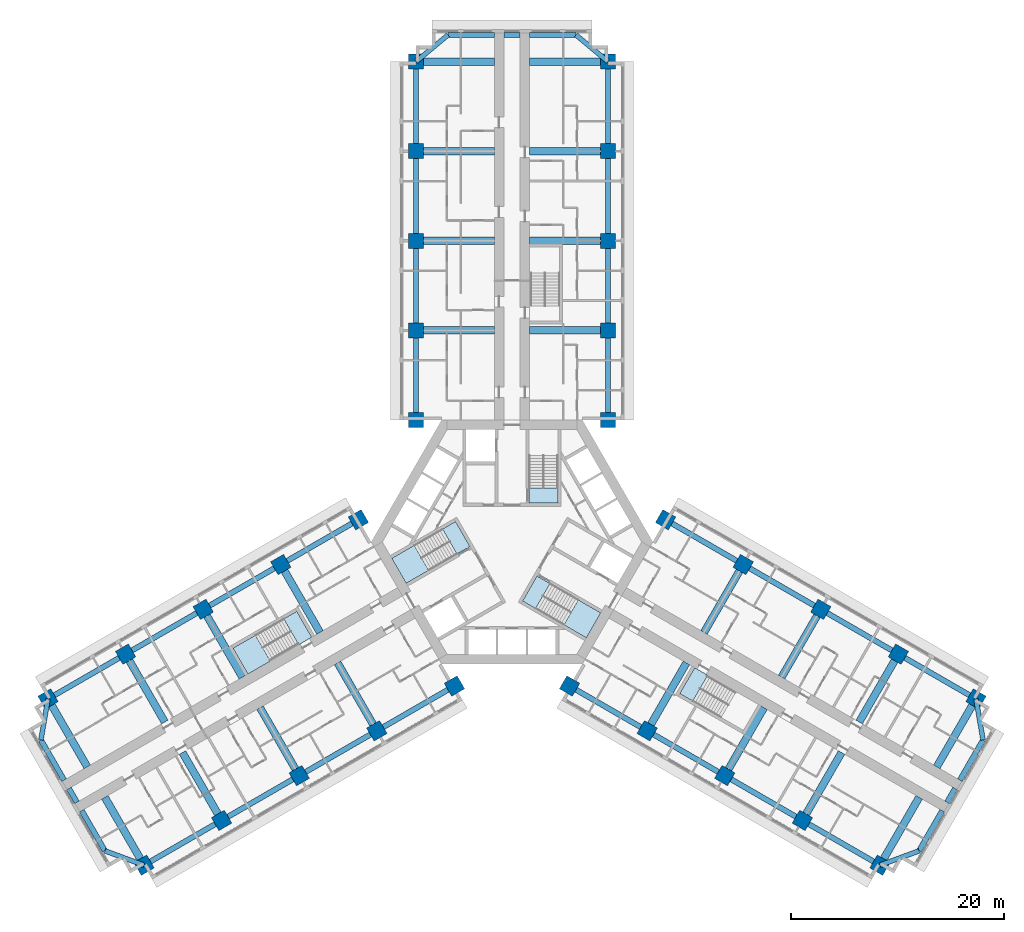
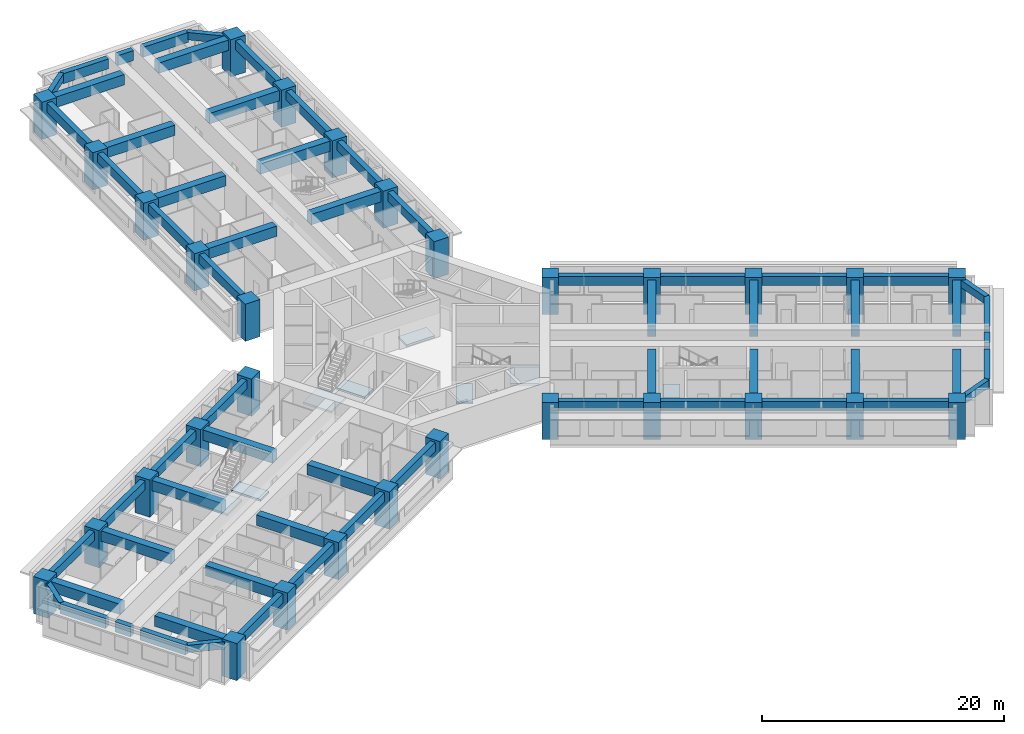
# One storey, part 1 of 16: 63 beams, 30 columns, 8 slabs, 5 elements without a shape of their own.
"""IFC4 building model written with IfcOpenShell, lengths in metres."""

from ifc_helpers import new_model, si_unit, direction, frame, origin, origin_2d, place, context, subcontext, project, spatial, polyline, rectangle, outline, extrude, material, layer, layer_set, material_profile, profile_set, type_object, element, aggregate, save


model = new_model("IFC4")

# Units and contexts
model_context = context("Model", 3, precision=1e-05, world=origin(), true_north=direction((0.0, 1.0)))
body_context = subcontext(model_context, "Body", "Model", "MODEL_VIEW")
ifc_project = project(units=[si_unit("LENGTHUNIT", "METRE"), si_unit("AREAUNIT", "SQUARE_METRE"), si_unit("VOLUMEUNIT", "CUBIC_METRE"), si_unit("PLANEANGLEUNIT", "RADIAN"), si_unit("MASSUNIT", "GRAM", prefix="KILO")], contexts=[model_context])

# Site, building, storey
site_placement = place(None, origin())
site = spatial("IfcSite", under=ifc_project, at=site_placement, CompositionType="ELEMENT")
building_placement = place(site_placement, origin())
building = spatial("IfcBuilding", under=site, at=building_placement, Name="Impinga Residences", CompositionType="ELEMENT")
storey_placement = place(building_placement, frame((0.0, 0.0, 74.75)))
storey = spatial("IfcBuildingStorey", under=building, at=storey_placement, Name="L18", CompositionType="ELEMENT", Elevation=74.75)

# Columns
ifc_material_1 = material(Name="Concrete C70/85", Category="concrete")
ifc_material_profile_1 = material_profile(ifc_material_1, rectangle(XDim=1.39990234375, YDim=1.39990234375, at=origin_2d()), Name="RC 1400x1400")
ifc_profile_set_1 = profile_set([ifc_material_profile_1], Name="Concrete C70/85")
column_type = type_object("IfcColumnType", Name="C2 1400x1400 column", PredefinedType="COLUMN", material=ifc_profile_set_1)
for number, where, z_axis, x_axis, name in (
    (1, (-9.0, 11.431640625, 0.0), (0.0, 0.0, 1.0), (1.0, 0.0, 0.0), "Column C2 N1/NA L18"),
    (2, (9.0, 11.431640625, 0.0), (0.0, 0.0, 1.0), (1.0, 0.0, 0.0), "Column C2 N1/NF L18"),
    (3, (-9.0, 19.83154296875, 0.0), (0.0, 0.0, 1.0), (1.0, 0.0, 0.0), "Column C2 N2/NA L18"),
    (4, (9.0, 19.83154296875, 0.0), (0.0, 0.0, 1.0), (1.0, 0.0, 0.0), "Column C2 N2/NF L18"),
    (5, (-9.0, 28.2314453125, 0.0), (0.0, 0.0, 1.0), (1.0, 0.0, 0.0), "Column C2 N3/NA L18"),
    (6, (9.0, 28.2314453125, 0.0), (0.0, 0.0, 1.0), (1.0, 0.0, 0.0), "Column C2 N3/NF L18"),
    (7, (-9.0, 36.631591796875, 0.0), (0.0, 0.0, 1.0), (1.0, 0.0, 0.0), "Column C2 N4/NA L18"),
    (8, (9.0, 36.631591796875, 0.0), (0.0, 0.0, 1.0), (1.0, 0.0, 0.0), "Column C2 N4/NF L18"),
    (9, (-9.0, 45.031494140625, 0.0), (0.0, 0.0, 1.0), (1.0, 0.0, 0.0), "Column C2 N5/NA L18"),
    (10, (9.0, 45.031494140625, 0.0), (0.0, 0.0, 1.0), (1.0, 0.0, 0.0), "Column C2 N5/NF L18"),
    (11, (-5.39990234375, -13.510009765625, 0.0), (0.0, 0.0, 1.0), (-0.5, 0.866025403784, 0.0), "Column C2 W1/WA L18"),
    (12, (-14.39990234375, 2.078369140625, 0.0), (0.0, 0.0, 1.0), (-0.5, 0.866025403784, 0.0), "Column C2 W1/WF L18"),
    (13, (-12.674560546875, -17.7099609375, 0.0), (0.0, 0.0, 1.0), (-0.5, 0.866025403784, 0.0), "Column C2 W2/WA L18"),
    (14, (-21.674560546875, -2.12158203125, 0.0), (0.0, 0.0, 1.0), (-0.5, 0.866025403784, 0.0), "Column C2 W2/WF L18"),
    (15, (-19.94921875, -21.909912109375, 0.0), (0.0, 0.0, 1.0), (-0.5, 0.866025403784, 0.0), "Column C2 W3/WA L18"),
    (16, (-28.94921875, -6.321533203125, 0.0), (0.0, 0.0, 1.0), (-0.5, 0.866025403784, 0.0), "Column C2 W3/WF L18"),
    (17, (-27.223876953125, -26.110107421875, 0.0), (0.0, 0.0, 1.0), (-0.5, 0.866025403784, 0.0), "Column C2 W4/WA L18"),
    (18, (-36.223876953125, -10.521484375, 0.0), (0.0, 0.0, 1.0), (-0.5, 0.866025403784, 0.0), "Column C2 W4/WF L18"),
    (19, (-34.49853515625, -30.31005859375, 0.0), (0.0, 0.0, 1.0), (-0.5, 0.866025403784, 0.0), "Column C2 W5/WA L18"),
    (20, (-43.49853515625, -14.721435546875, 0.0), (0.0, 0.0, 1.0), (-0.5, 0.866025403784, 0.0), "Column C2 W5/WF L18"),
    (21, (14.39990234375, 2.078369140625, 0.0), (0.0, 0.0, 1.0), (-0.5, -0.866025403784, 0.0), "Column C2 E1/EA L18"),
    (22, (5.39990234375, -13.510009765625, 0.0), (0.0, 0.0, 1.0), (-0.5, -0.866025403784, 0.0), "Column C2 E1/EF L18"),
    (23, (21.674560546875, -2.12158203125, 0.0), (0.0, 0.0, 1.0), (-0.5, -0.866025403784, 0.0), "Column C2 E2/EA L18"),
    (24, (12.674560546875, -17.7099609375, 0.0), (0.0, 0.0, 1.0), (-0.5, -0.866025403784, 0.0), "Column C2 E2/EF L18"),
    (25, (28.94921875, -6.321533203125, 0.0), (0.0, 0.0, 1.0), (-0.5, -0.866025403784, 0.0), "Column C2 E3/EA L18"),
    (26, (19.94921875, -21.909912109375, 0.0), (0.0, 0.0, 1.0), (-0.5, -0.866025403784, 0.0), "Column C2 E3/EF L18"),
    (27, (36.223876953125, -10.521484375, 0.0), (0.0, 0.0, 1.0), (-0.5, -0.866025403784, 0.0), "Column C2 E4/EA L18"),
    (28, (27.223876953125, -26.110107421875, 0.0), (0.0, 0.0, 1.0), (-0.5, -0.866025403784, 0.0), "Column C2 E4/EF L18"),
    (29, (43.49853515625, -14.721435546875, 0.0), (0.0, 0.0, 1.0), (-0.5, -0.866025403784, 0.0), "Column C2 E5/EA L18"),
    (30, (34.49853515625, -30.31005859375, 0.0), (0.0, 0.0, 1.0), (-0.5, -0.866025403784, 0.0), "Column C2 E5/EF L18"),
):
    element("IfcColumn", number, at=place(storey_placement, frame(where, z_axis=z_axis, x_axis=x_axis)), inside=storey, type_object=column_type, Name=name, PredefinedType="COLUMN", context=body_context, shape_type="SweptSolid", body=[
        extrude(rectangle(XDim=1.39990234375, YDim=1.39990234375, at=origin_2d()), origin(), (0.0, 0.0, 1.0), 3.75),
    ])

# Beams
ifc_material_2 = material(Name="Concrete C60/75", Category="concrete")
ifc_material_profile_2 = material_profile(ifc_material_2, rectangle(XDim=0.449951171875, YDim=0.75, at=origin_2d()), Name="RC 450x750")
ifc_profile_set_2 = profile_set([ifc_material_profile_2], Name="Concrete C60/75")
beam_type_1 = type_object("IfcBeamType", Name="CB1 450x750 wing end cantilever beam", PredefinedType="BEAM", material=ifc_profile_set_2)
for number, where, z_axis, x_axis, name in (
    (31, (-9.0, 45.031494140625, 3.155029296875), (0.768221279597, 0.640184399664, 0.0), (-0.640184399664, 0.768221279597, 0.0), "Beam CB1 NB N5-NX level L19"),
    (32, (9.0, 45.031494140625, 3.155029296875), (-0.768221279597, 0.640184399664, 0.0), (-0.640184399664, -0.768221279597, 0.0), "Beam CB1 NE N5-NX level L19"),
    (33, (-34.49853515625, -30.31005859375, 3.155029296875), (-0.938520178725, 0.345224382289, 0.0), (-0.345224382289, -0.938520178725, 0.0), "Beam CB1 WB W5-WX level L19"),
):
    element("IfcBeam", number, at=place(storey_placement, frame(where, z_axis=z_axis, x_axis=x_axis)), inside=storey, type_object=beam_type_1, Name=name, PredefinedType="BEAM", context=body_context, shape_type="SweptSolid", body=[
        extrude(rectangle(XDim=0.449951171875, YDim=0.75, at=origin_2d()), origin(), (0.0, 0.0, 1.0), 3.905029296875),
    ])
for number, where, z_axis, x_axis, name in (
    (34, (-43.49853515625, -14.721435546875, 3.155029296875), (-0.170296298948, -0.985392901621, 0.0), (0.985392901621, -0.170296298948, 0.0), "Beam CB1 WE W5-WX level L19"),
    (35, (43.49853515625, -14.721435546875, 3.155029296875), (0.170296298948, -0.985392901621, 0.0), (0.985392901621, 0.170296298948, 0.0), "Beam CB1 EB E5-EX level L19"),
):
    element("IfcBeam", number, at=place(storey_placement, frame(where, z_axis=z_axis, x_axis=x_axis)), inside=storey, type_object=beam_type_1, Name=name, PredefinedType="BEAM", context=body_context, shape_type="SweptSolid", body=[
        extrude(rectangle(XDim=0.449951171875, YDim=0.75, at=origin_2d()), origin(), (0.0, 0.0, 1.0), 3.9052734375),
    ])
beam_1_placement = place(storey_placement, frame((34.49853515625, -30.31005859375, 3.155029296875), z_axis=(0.938520178725, 0.345224382289, 0.0), x_axis=(-0.345224382289, 0.938520178725, 0.0)))
element("IfcBeam", 36, at=beam_1_placement, inside=storey, type_object=beam_type_1, Name="Beam CB1 EE E5-EX level L19", PredefinedType="BEAM", context=body_context, shape_type="SweptSolid", body=[
    extrude(rectangle(XDim=0.449951171875, YDim=0.75, at=origin_2d()), origin(), (0.0, 0.0, 1.0), 3.905029296875),
])
ifc_material_profile_3 = material_profile(ifc_material_2, rectangle(XDim=0.699951171875, YDim=1.050048828125, at=origin_2d()), Name="RC 700x1050")
ifc_profile_set_3 = profile_set([ifc_material_profile_3], Name="Concrete C60/75")
beam_type_2 = type_object("IfcBeamType", Name="CG1 700x1050 cross girder on a wing bay line", PredefinedType="BEAM", material=ifc_profile_set_3)
for number, where, z_axis, x_axis, name in (
    (37, (-1.64990234375, 19.83154296875, 3.0048828125), (-1.0, 0.0, 0.0), (0.0, -1.0, 0.0), "Beam CG1 N2 NC/NA level L19"),
    (38, (-1.64990234375, 28.2314453125, 3.0048828125), (-1.0, 0.0, 0.0), (0.0, -1.0, 0.0), "Beam CG1 N3 NC/NA level L19"),
    (39, (-1.64990234375, 36.631591796875, 3.0048828125), (-1.0, 0.0, 0.0), (0.0, -1.0, 0.0), "Beam CG1 N4 NC/NA level L19"),
    (40, (-1.64990234375, 45.031494140625, 3.0048828125), (-1.0, 0.0, 0.0), (0.0, -1.0, 0.0), "Beam CG1 N5 NC/NA level L19"),
    (41, (1.64990234375, 19.83154296875, 3.0048828125), (1.0, 0.0, 0.0), (0.0, 1.0, 0.0), "Beam CG1 N2 NC/NF level L19"),
    (42, (1.64990234375, 28.2314453125, 3.0048828125), (1.0, 0.0, 0.0), (0.0, 1.0, 0.0), "Beam CG1 N3 NC/NF level L19"),
    (43, (1.64990234375, 36.631591796875, 3.0048828125), (1.0, 0.0, 0.0), (0.0, 1.0, 0.0), "Beam CG1 N4 NC/NF level L19"),
    (44, (1.64990234375, 45.031494140625, 3.0048828125), (1.0, 0.0, 0.0), (0.0, 1.0, 0.0), "Beam CG1 N5 NC/NF level L19"),
    (45, (-16.349609375, -11.3447265625, 3.0048828125), (0.500008066151, -0.86602074674, 0.0), (0.86602074674, 0.500008066151, 0.0), "Beam CG1 W2 WC/WA level L19"),
    (46, (-23.624267578125, -15.544677734375, 3.0048828125), (0.500008066151, -0.86602074674, 0.0), (0.86602074674, 0.500008066151, 0.0), "Beam CG1 W3 WC/WA level L19"),
    (47, (-30.89892578125, -19.74462890625, 3.0048828125), (0.499993683172, -0.866029050776, 0.0), (0.866029050776, 0.499993683172, 0.0), "Beam CG1 W4 WC/WA level L19"),
):
    element("IfcBeam", number, at=place(storey_placement, frame(where, z_axis=z_axis, x_axis=x_axis)), inside=storey, type_object=beam_type_2, Name=name, PredefinedType="BEAM", context=body_context, shape_type="SweptSolid", body=[
        extrude(rectangle(XDim=0.699951171875, YDim=1.050048828125, at=origin_2d()), origin(), (0.0, 0.0, 1.0), 7.35009765625),
    ])
beam_2_placement = place(storey_placement, frame((-38.17333984375, -23.94482421875, 3.0048828125), z_axis=(0.499983153418, -0.866035129944, 0.0), x_axis=(0.866035129944, 0.499983153418, 0.0)))
element("IfcBeam", 48, at=beam_2_placement, inside=storey, type_object=beam_type_2, Name="Beam CG1 W5 WC/WA level L19", PredefinedType="BEAM", context=body_context, shape_type="SweptSolid", body=[
    extrude(rectangle(XDim=0.699951171875, YDim=1.050048828125, at=origin_2d()), origin(), (0.0, 0.0, 1.0), 7.349853515625),
])
for number, where, z_axis, x_axis, name in (
    (49, (-17.99951171875, -8.48681640625, 3.0048828125), (-0.500008066151, 0.86602074674, 0.0), (-0.86602074674, -0.500008066151, 0.0), "Beam CG1 W2 WC/WF level L19"),
    (50, (-25.274169921875, -12.686767578125, 3.0048828125), (-0.500008066151, 0.86602074674, 0.0), (-0.86602074674, -0.500008066151, 0.0), "Beam CG1 W3 WC/WF level L19"),
    (51, (-32.548828125, -16.88671875, 3.0048828125), (-0.500008066151, 0.86602074674, 0.0), (-0.86602074674, -0.500008066151, 0.0), "Beam CG1 W4 WC/WF level L19"),
    (52, (-39.823486328125, -21.0869140625, 3.0048828125), (-0.499993683172, 0.866029050776, 0.0), (-0.866029050776, -0.499993683172, 0.0), "Beam CG1 W5 WC/WF level L19"),
    (53, (17.99951171875, -8.48681640625, 3.0048828125), (0.500008066151, 0.86602074674, 0.0), (-0.86602074674, 0.500008066151, 0.0), "Beam CG1 E2 EC/EA level L19"),
    (54, (25.274169921875, -12.686767578125, 3.0048828125), (0.500008066151, 0.86602074674, 0.0), (-0.86602074674, 0.500008066151, 0.0), "Beam CG1 E3 EC/EA level L19"),
    (55, (32.548828125, -16.88671875, 3.0048828125), (0.500008066151, 0.86602074674, 0.0), (-0.86602074674, 0.500008066151, 0.0), "Beam CG1 E4 EC/EA level L19"),
    (56, (39.823486328125, -21.0869140625, 3.0048828125), (0.499993683172, 0.866029050776, 0.0), (-0.866029050776, 0.499993683172, 0.0), "Beam CG1 E5 EC/EA level L19"),
    (57, (16.349609375, -11.3447265625, 3.0048828125), (-0.500008066151, -0.86602074674, 0.0), (0.86602074674, -0.500008066151, 0.0), "Beam CG1 E2 EC/EF level L19"),
    (58, (23.624267578125, -15.544677734375, 3.0048828125), (-0.500008066151, -0.86602074674, 0.0), (0.86602074674, -0.500008066151, 0.0), "Beam CG1 E3 EC/EF level L19"),
    (59, (30.89892578125, -19.74462890625, 3.0048828125), (-0.499993683172, -0.866029050776, 0.0), (0.866029050776, -0.499993683172, 0.0), "Beam CG1 E4 EC/EF level L19"),
):
    element("IfcBeam", number, at=place(storey_placement, frame(where, z_axis=z_axis, x_axis=x_axis)), inside=storey, type_object=beam_type_2, Name=name, PredefinedType="BEAM", context=body_context, shape_type="SweptSolid", body=[
        extrude(rectangle(XDim=0.699951171875, YDim=1.050048828125, at=origin_2d()), origin(), (0.0, 0.0, 1.0), 7.35009765625),
    ])
beam_3_placement = place(storey_placement, frame((38.17333984375, -23.94482421875, 3.0048828125), z_axis=(-0.499983153418, -0.866035129944, 0.0), x_axis=(0.866035129944, -0.499983153418, 0.0)))
element("IfcBeam", 60, at=beam_3_placement, inside=storey, type_object=beam_type_2, Name="Beam CG1 E5 EC/EF level L19", PredefinedType="BEAM", context=body_context, shape_type="SweptSolid", body=[
    extrude(rectangle(XDim=0.699951171875, YDim=1.050048828125, at=origin_2d()), origin(), (0.0, 0.0, 1.0), 7.349853515625),
])
ifc_material_profile_4 = material_profile(ifc_material_2, rectangle(XDim=0.5, YDim=1.0, at=origin_2d()), Name="RC 500x1000")
ifc_profile_set_4 = profile_set([ifc_material_profile_4], Name="Concrete C60/75")
beam_type_3 = type_object("IfcBeamType", Name="EB1 500x1000 wing end beam", PredefinedType="BEAM", material=ifc_profile_set_4)
beam_4_placement = place(storey_placement, frame((-6.0, 47.531494140625, 3.030029296875), z_axis=(1.0, 0.0, 0.0), x_axis=(0.0, 1.0, 0.0)))
element("IfcBeam", 61, at=beam_4_placement, inside=storey, type_object=beam_type_3, Name="Beam EB1 NX4 level L19", PredefinedType="BEAM", context=body_context, shape_type="SweptSolid", body=[
    extrude(rectangle(XDim=0.5, YDim=1.0, at=origin_2d()), origin(), (0.0, 0.0, 1.0), 4.35009765625),
])
beam_5_placement = place(storey_placement, frame((-0.75, 47.531494140625, 3.030029296875), z_axis=(1.0, 0.0, 0.0), x_axis=(0.0, 1.0, 0.0)))
element("IfcBeam", 62, at=beam_5_placement, inside=storey, type_object=beam_type_3, Name="Beam EB1 NX4 level L19", PredefinedType="BEAM", context=body_context, shape_type="SweptSolid", body=[
    extrude(rectangle(XDim=0.5, YDim=1.0, at=origin_2d()), origin(), (0.0, 0.0, 1.0), 1.5),
])
beam_6_placement = place(storey_placement, frame((1.64990234375, 47.531494140625, 3.030029296875), z_axis=(1.0, 0.0, 0.0), x_axis=(0.0, 1.0, 0.0)))
element("IfcBeam", 63, at=beam_6_placement, inside=storey, type_object=beam_type_3, Name="Beam EB1 NX4 level L19", PredefinedType="BEAM", context=body_context, shape_type="SweptSolid", body=[
    extrude(rectangle(XDim=0.5, YDim=1.0, at=origin_2d()), origin(), (0.0, 0.0, 1.0), 4.35009765625),
])
beam_7_placement = place(storey_placement, frame((-38.16357421875, -28.9619140625, 3.030029296875), z_axis=(-0.500020430026, 0.866013608182, 0.0), x_axis=(-0.866013608182, -0.500020430026, 0.0)))
element("IfcBeam", 64, at=beam_7_placement, inside=storey, type_object=beam_type_3, Name="Beam EB1 WX4 level L19", PredefinedType="BEAM", context=body_context, shape_type="SweptSolid", body=[
    extrude(rectangle(XDim=0.5, YDim=1.0, at=origin_2d()), origin(), (0.0, 0.0, 1.0), 4.349853515625),
])
beam_8_placement = place(storey_placement, frame((-40.78857421875, -24.415283203125, 3.030029296875), z_axis=(-0.499990139034, 0.866031096941, 0.0), x_axis=(-0.866031096941, -0.499990139034, 0.0)))
element("IfcBeam", 65, at=beam_8_placement, inside=storey, type_object=beam_type_3, Name="Beam EB1 WX4 level L19", PredefinedType="BEAM", context=body_context, shape_type="SweptSolid", body=[
    extrude(rectangle(XDim=0.5, YDim=1.0, at=origin_2d()), origin(), (0.0, 0.0, 1.0), 1.5),
])
for number, where, z_axis, x_axis, name in (
    (66, (-41.988525390625, -22.3369140625, 3.030029296875), (-0.499996127374, 0.866027639635, 0.0), (-0.866027639635, -0.499996127374, 0.0), "Beam EB1 WX4 level L19"),
    (67, (44.16357421875, -18.569580078125, 3.030029296875), (-0.499996127374, -0.866027639635, 0.0), (0.866027639635, -0.499996127374, 0.0), "Beam EB1 EX4 level L19"),
):
    element("IfcBeam", number, at=place(storey_placement, frame(where, z_axis=z_axis, x_axis=x_axis)), inside=storey, type_object=beam_type_3, Name=name, PredefinedType="BEAM", context=body_context, shape_type="SweptSolid", body=[
        extrude(rectangle(XDim=0.5, YDim=1.0, at=origin_2d()), origin(), (0.0, 0.0, 1.0), 4.35009765625),
    ])
beam_9_placement = place(storey_placement, frame((41.53857421875, -23.1162109375, 3.030029296875), z_axis=(-0.499990139034, -0.866031096941, 0.0), x_axis=(0.866031096941, -0.499990139034, 0.0)))
element("IfcBeam", 68, at=beam_9_placement, inside=storey, type_object=beam_type_3, Name="Beam EB1 EX4 level L19", PredefinedType="BEAM", context=body_context, shape_type="SweptSolid", body=[
    extrude(rectangle(XDim=0.5, YDim=1.0, at=origin_2d()), origin(), (0.0, 0.0, 1.0), 1.5),
])
beam_10_placement = place(storey_placement, frame((40.338623046875, -25.19482421875, 3.030029296875), z_axis=(-0.500020430026, -0.866013608182, 0.0), x_axis=(0.866013608182, -0.500020430026, 0.0)))
element("IfcBeam", 69, at=beam_10_placement, inside=storey, type_object=beam_type_3, Name="Beam EB1 EX4 level L19", PredefinedType="BEAM", context=body_context, shape_type="SweptSolid", body=[
    extrude(rectangle(XDim=0.5, YDim=1.0, at=origin_2d()), origin(), (0.0, 0.0, 1.0), 4.349853515625),
])
ifc_material_profile_5 = material_profile(ifc_material_2, rectangle(XDim=0.5, YDim=0.89990234375, at=origin_2d()), Name="RC 500x900")
ifc_profile_set_5 = profile_set([ifc_material_profile_5], Name="Concrete C60/75")
beam_type_4 = type_object("IfcBeamType", Name="SB1 500x900 perimeter spandrel beam", PredefinedType="SPANDREL", material=ifc_profile_set_5)
for number, where, z_axis, x_axis, name in (
    (70, (-9.0, 11.431640625, 3.080078125), (0.0, 1.0, 0.0), (-1.0, 0.0, 0.0), "Beam SB1 NA N1-N2 level L19"),
    (71, (-9.0, 19.83154296875, 3.080078125), (0.0, 1.0, 0.0), (-1.0, 0.0, 0.0), "Beam SB1 NA N2-N3 level L19"),
):
    element("IfcBeam", number, at=place(storey_placement, frame(where, z_axis=z_axis, x_axis=x_axis)), inside=storey, type_object=beam_type_4, Name=name, PredefinedType="SPANDREL", context=body_context, shape_type="SweptSolid", body=[
        extrude(rectangle(XDim=0.5, YDim=0.89990234375, at=origin_2d()), origin(), (0.0, 0.0, 1.0), 8.39990234375),
    ])
beam_11_placement = place(storey_placement, frame((-9.0, 28.2314453125, 3.080078125), z_axis=(0.0, 1.0, 0.0), x_axis=(-1.0, 0.0, 0.0)))
element("IfcBeam", 72, at=beam_11_placement, inside=storey, type_object=beam_type_4, Name="Beam SB1 NA N3-N4 level L19", PredefinedType="SPANDREL", context=body_context, shape_type="SweptSolid", body=[
    extrude(rectangle(XDim=0.5, YDim=0.89990234375, at=origin_2d()), origin(), (0.0, 0.0, 1.0), 8.400146484375),
])
for number, where, z_axis, x_axis, name in (
    (73, (-9.0, 36.631591796875, 3.080078125), (0.0, 1.0, 0.0), (-1.0, 0.0, 0.0), "Beam SB1 NA N4-N5 level L19"),
    (74, (9.0, 11.431640625, 3.080078125), (0.0, 1.0, 0.0), (-1.0, 0.0, 0.0), "Beam SB1 NF N1-N2 level L19"),
    (75, (9.0, 19.83154296875, 3.080078125), (0.0, 1.0, 0.0), (-1.0, 0.0, 0.0), "Beam SB1 NF N2-N3 level L19"),
):
    element("IfcBeam", number, at=place(storey_placement, frame(where, z_axis=z_axis, x_axis=x_axis)), inside=storey, type_object=beam_type_4, Name=name, PredefinedType="SPANDREL", context=body_context, shape_type="SweptSolid", body=[
        extrude(rectangle(XDim=0.5, YDim=0.89990234375, at=origin_2d()), origin(), (0.0, 0.0, 1.0), 8.39990234375),
    ])
beam_12_placement = place(storey_placement, frame((9.0, 28.2314453125, 3.080078125), z_axis=(0.0, 1.0, 0.0), x_axis=(-1.0, 0.0, 0.0)))
element("IfcBeam", 76, at=beam_12_placement, inside=storey, type_object=beam_type_4, Name="Beam SB1 NF N3-N4 level L19", PredefinedType="SPANDREL", context=body_context, shape_type="SweptSolid", body=[
    extrude(rectangle(XDim=0.5, YDim=0.89990234375, at=origin_2d()), origin(), (0.0, 0.0, 1.0), 8.400146484375),
])
for number, where, z_axis, x_axis, name in (
    (77, (9.0, 36.631591796875, 3.080078125), (0.0, 1.0, 0.0), (-1.0, 0.0, 0.0), "Beam SB1 NF N4-N5 level L19"),
    (78, (-5.39990234375, -13.510009765625, 3.080078125), (-0.86602925447, -0.499993330357, 0.0), (0.499993330357, -0.86602925447, 0.0), "Beam SB1 WA W1-W2 level L19"),
    (79, (-12.674560546875, -17.7099609375, 3.080078125), (-0.86602925447, -0.499993330357, 0.0), (0.499993330357, -0.86602925447, 0.0), "Beam SB1 WA W2-W3 level L19"),
):
    element("IfcBeam", number, at=place(storey_placement, frame(where, z_axis=z_axis, x_axis=x_axis)), inside=storey, type_object=beam_type_4, Name=name, PredefinedType="SPANDREL", context=body_context, shape_type="SweptSolid", body=[
        extrude(rectangle(XDim=0.5, YDim=0.89990234375, at=origin_2d()), origin(), (0.0, 0.0, 1.0), 8.39990234375),
    ])
beam_13_placement = place(storey_placement, frame((-19.94921875, -21.909912109375, 3.080078125), z_axis=(-0.866016669275, -0.500015128309, 0.0), x_axis=(0.500015128309, -0.866016669275, 0.0)))
element("IfcBeam", 80, at=beam_13_placement, inside=storey, type_object=beam_type_4, Name="Beam SB1 WA W3-W4 level L19", PredefinedType="SPANDREL", context=body_context, shape_type="SweptSolid", body=[
    extrude(rectangle(XDim=0.5, YDim=0.89990234375, at=origin_2d()), origin(), (0.0, 0.0, 1.0), 8.400146484375),
])
for number, where, z_axis, x_axis, name in (
    (81, (-27.223876953125, -26.110107421875, 3.080078125), (-0.86602925447, -0.499993330357, 0.0), (0.499993330357, -0.86602925447, 0.0), "Beam SB1 WA W4-W5 level L19"),
    (82, (-14.39990234375, 2.078369140625, 3.080078125), (-0.86602925447, -0.499993330357, 0.0), (0.499993330357, -0.86602925447, 0.0), "Beam SB1 WF W1-W2 level L19"),
    (83, (-21.674560546875, -2.12158203125, 3.080078125), (-0.86602925447, -0.499993330357, 0.0), (0.499993330357, -0.86602925447, 0.0), "Beam SB1 WF W2-W3 level L19"),
    (84, (-28.94921875, -6.321533203125, 3.080078125), (-0.86602925447, -0.499993330357, 0.0), (0.499993330357, -0.86602925447, 0.0), "Beam SB1 WF W3-W4 level L19"),
    (85, (-36.223876953125, -10.521484375, 3.080078125), (-0.86602925447, -0.499993330357, 0.0), (0.499993330357, -0.86602925447, 0.0), "Beam SB1 WF W4-W5 level L19"),
    (86, (14.39990234375, 2.078369140625, 3.080078125), (0.86602925447, -0.499993330357, 0.0), (0.499993330357, 0.86602925447, 0.0), "Beam SB1 EA E1-E2 level L19"),
    (87, (21.674560546875, -2.12158203125, 3.080078125), (0.86602925447, -0.499993330357, 0.0), (0.499993330357, 0.86602925447, 0.0), "Beam SB1 EA E2-E3 level L19"),
    (88, (28.94921875, -6.321533203125, 3.080078125), (0.86602925447, -0.499993330357, 0.0), (0.499993330357, 0.86602925447, 0.0), "Beam SB1 EA E3-E4 level L19"),
    (89, (36.223876953125, -10.521484375, 3.080078125), (0.86602925447, -0.499993330357, 0.0), (0.499993330357, 0.86602925447, 0.0), "Beam SB1 EA E4-E5 level L19"),
    (90, (5.39990234375, -13.510009765625, 3.080078125), (0.86602925447, -0.499993330357, 0.0), (0.499993330357, 0.86602925447, 0.0), "Beam SB1 EF E1-E2 level L19"),
    (91, (12.674560546875, -17.7099609375, 3.080078125), (0.86602925447, -0.499993330357, 0.0), (0.499993330357, 0.86602925447, 0.0), "Beam SB1 EF E2-E3 level L19"),
):
    element("IfcBeam", number, at=place(storey_placement, frame(where, z_axis=z_axis, x_axis=x_axis)), inside=storey, type_object=beam_type_4, Name=name, PredefinedType="SPANDREL", context=body_context, shape_type="SweptSolid", body=[
        extrude(rectangle(XDim=0.5, YDim=0.89990234375, at=origin_2d()), origin(), (0.0, 0.0, 1.0), 8.39990234375),
    ])
beam_14_placement = place(storey_placement, frame((19.94921875, -21.909912109375, 3.080078125), z_axis=(0.866016669275, -0.500015128309, 0.0), x_axis=(0.500015128309, 0.866016669275, 0.0)))
element("IfcBeam", 92, at=beam_14_placement, inside=storey, type_object=beam_type_4, Name="Beam SB1 EF E3-E4 level L19", PredefinedType="SPANDREL", context=body_context, shape_type="SweptSolid", body=[
    extrude(rectangle(XDim=0.5, YDim=0.89990234375, at=origin_2d()), origin(), (0.0, 0.0, 1.0), 8.400146484375),
])
beam_15_placement = place(storey_placement, frame((27.223876953125, -26.110107421875, 3.080078125), z_axis=(0.86602925447, -0.499993330357, 0.0), x_axis=(0.499993330357, 0.86602925447, 0.0)))
element("IfcBeam", 93, at=beam_15_placement, inside=storey, type_object=beam_type_4, Name="Beam SB1 EF E4-E5 level L19", PredefinedType="SPANDREL", context=body_context, shape_type="SweptSolid", body=[
    extrude(rectangle(XDim=0.5, YDim=0.89990234375, at=origin_2d()), origin(), (0.0, 0.0, 1.0), 8.39990234375),
])

# Stair, slab
ifc_material_3 = material(Name="Concrete C40/50", Category="concrete")
stair_type_1 = type_object("IfcStairType", Name="STR core stair 3750 storey, 24 risers", PredefinedType="HALF_TURN_STAIR", material=ifc_material_3)
stair_1_placement = place(storey_placement, origin())
stair_1 = element("IfcStair", 94, at=stair_1_placement, inside=storey, type_object=stair_type_1, Name="Stair ST1 L18", PredefinedType="HALF_TURN_STAIR")
ifc_layer = layer(ifc_material_3, 0.199951171875)
ifc_layer_set = layer_set([ifc_layer], Name="Concrete C40/50")
slab_type = type_object("IfcSlabType", Name="LS1 stair landing 200", PredefinedType="LANDING", material=ifc_layer_set)
slab_1_placement = place(storey_placement, frame((0.0, 0.0, -0.199951171875)))
slab_1 = element("IfcSlab", 95, at=slab_1_placement, type_object=slab_type, Name="ST1 landing 1", PredefinedType="LANDING", context=body_context, shape_type="SweptSolid", body=[
    extrude(outline(polyline([(1.60009765625, 3.6298828125), (4.300048828125, 3.6298828125), (4.300048828125, 5.0400390625), (1.60009765625, 5.0400390625), (1.60009765625, 3.6298828125)])), origin(), (0.0, 0.0, 1.0), 0.199951171875),
])
aggregate(stair_1, [slab_1])

# Stair, slabs
stair_2_placement = place(storey_placement, origin())
stair_2 = element("IfcStair", 96, at=stair_2_placement, inside=storey, type_object=stair_type_1, Name="Stair ST2 L18", PredefinedType="HALF_TURN_STAIR")
slab_2_placement = place(storey_placement, frame((0.0, 0.0, -0.199951171875)))
slab_2 = element("IfcSlab", 97, at=slab_2_placement, type_object=slab_type, Name="ST2 landing 1", PredefinedType="LANDING", context=body_context, shape_type="SweptSolid", body=[
    extrude(outline(polyline([(-3.943603515625, -0.429443359375), (-5.293701171875, 1.908935546875), (-6.5146484375, 1.203857421875), (-5.164794921875, -1.13427734375), (-3.943603515625, -0.429443359375)])), origin(), (0.0, 0.0, 1.0), 0.199951171875),
])
slab_3_placement = place(storey_placement, frame((0.0, 0.0, 1.675048828125)))
slab_3 = element("IfcSlab", 98, at=slab_3_placement, type_object=slab_type, Name="ST2 landing 2", PredefinedType="LANDING", context=body_context, shape_type="SweptSolid", body=[
    extrude(outline(polyline([(-7.814697265625, -2.664306640625), (-9.164794921875, -0.326171875), (-11.2705078125, -1.541748046875), (-9.920654296875, -3.880126953125), (-7.814697265625, -2.664306640625)])), origin(), (0.0, 0.0, 1.0), 0.199951171875),
])
aggregate(stair_2, [slab_2, slab_3])

stair_3_placement = place(storey_placement, origin())
stair_3 = element("IfcStair", 99, at=stair_3_placement, inside=storey, type_object=stair_type_1, Name="Stair ST3 L18", PredefinedType="HALF_TURN_STAIR")
slab_4_placement = place(storey_placement, frame((0.0, 0.0, -0.199951171875)))
slab_4 = element("IfcSlab", 100, at=slab_4_placement, type_object=slab_type, Name="ST3 landing 1", PredefinedType="LANDING", context=body_context, shape_type="SweptSolid", body=[
    extrude(outline(polyline([(2.34375, -3.20068359375), (0.99365234375, -5.538818359375), (2.21484375, -6.243896484375), (3.564697265625, -3.90576171875), (2.34375, -3.20068359375)])), origin(), (0.0, 0.0, 1.0), 0.199951171875),
])
slab_5_placement = place(storey_placement, frame((0.0, 0.0, 1.675048828125)))
slab_5 = element("IfcSlab", 101, at=slab_5_placement, type_object=slab_type, Name="ST3 landing 2", PredefinedType="LANDING", context=body_context, shape_type="SweptSolid", body=[
    extrude(outline(polyline([(6.21484375, -5.435546875), (4.86474609375, -7.77392578125), (6.970458984375, -8.98974609375), (8.320556640625, -6.6513671875), (6.21484375, -5.435546875)])), origin(), (0.0, 0.0, 1.0), 0.199951171875),
])
aggregate(stair_3, [slab_4, slab_5])

stair_type_2 = type_object("IfcStairType", Name="STR wing stair 3750 storey, 24 risers", PredefinedType="HALF_TURN_STAIR", material=ifc_material_3)
stair_4_placement = place(storey_placement, origin())
stair_4 = element("IfcStair", 102, at=stair_4_placement, inside=storey, type_object=stair_type_2, Name="Stair WS2 L18", PredefinedType="HALF_TURN_STAIR")
slab_6_placement = place(storey_placement, frame((0.0, 0.0, -0.199951171875)))
slab_6 = element("IfcSlab", 103, at=slab_6_placement, type_object=slab_type, Name="WS2 landing 1", PredefinedType="LANDING", context=body_context, shape_type="SweptSolid", body=[
    extrude(outline(polyline([(-18.779052734375, -8.936767578125), (-20.178955078125, -6.511962890625), (-21.400146484375, -7.217041015625), (-20.000244140625, -9.641845703125), (-18.779052734375, -8.936767578125)])), origin(), (0.0, 0.0, 1.0), 0.199951171875),
])
slab_7_placement = place(storey_placement, frame((0.0, 0.0, 1.675048828125)))
slab_7 = element("IfcSlab", 104, at=slab_7_placement, type_object=slab_type, Name="WS2 landing 2", PredefinedType="LANDING", context=body_context, shape_type="SweptSolid", body=[
    extrude(outline(polyline([(-22.650146484375, -11.171875), (-24.050048828125, -8.7470703125), (-26.154541015625, -9.9619140625), (-24.754638671875, -12.38671875), (-22.650146484375, -11.171875)])), origin(), (0.0, 0.0, 1.0), 0.199951171875),
])
aggregate(stair_4, [slab_6, slab_7])

# Stair, slab
stair_5_placement = place(storey_placement, origin())
stair_5 = element("IfcStair", 105, at=stair_5_placement, inside=storey, type_object=stair_type_2, Name="Stair WS3 L18", PredefinedType="HALF_TURN_STAIR")
slab_8_placement = place(storey_placement, frame((0.0, 0.0, -0.199951171875)))
slab_8 = element("IfcSlab", 106, at=slab_8_placement, type_object=slab_type, Name="WS3 landing 1", PredefinedType="LANDING", context=body_context, shape_type="SweptSolid", body=[
    extrude(outline(polyline([(17.129150390625, -11.794677734375), (15.72900390625, -14.219482421875), (16.9501953125, -14.924560546875), (18.35009765625, -12.499755859375), (17.129150390625, -11.794677734375)])), origin(), (0.0, 0.0, 1.0), 0.199951171875),
])
aggregate(stair_5, [slab_8])

save(model, "model.ifc")
